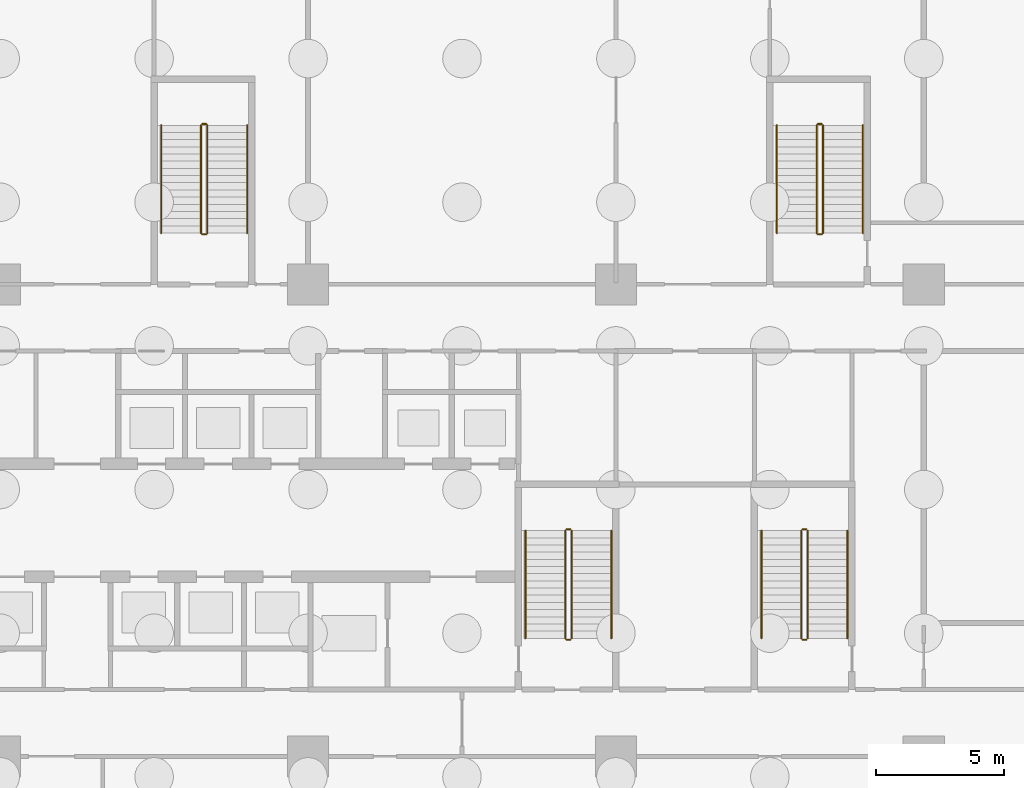
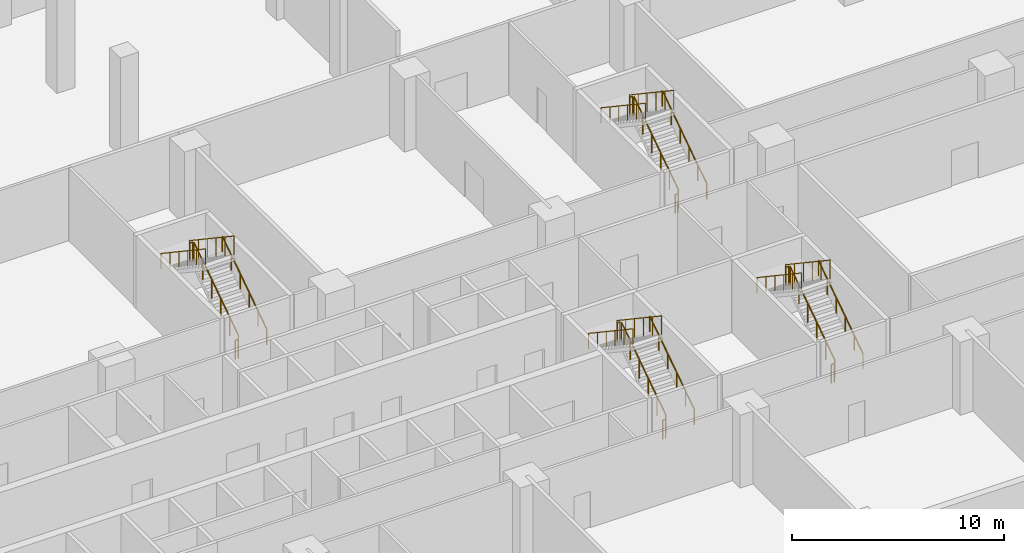
# One storey, part 26 of 27: 24 railings.
"""IFC4 building model written with IfcOpenShell, lengths in metres."""

import ifcopenshell
import ifcopenshell.guid

model = None  # the IFC model being written
_history = None  # IfcOwnerHistory: only IFC2X3 demands one
_inside = {}  # id of a spatial element -> (the spatial element, [elements in it])
_under = {}  # id of a project, library or spatial element -> (it, [spatial elements below it])
_declared = {}  # id of a project -> (the project, [libraries it declares])
_typed = {}  # id of a type object -> (the type object, [elements of that type])
_made_of = {}  # id of a material, layer set ... -> (it, [elements and type objects made of it])


def new_model(schema):
    """Start an empty IFC model of exactly this schema.

    Asked for "IFC4X3", IfcOpenShell would pick the latest addendum, in which some entities
    have other attributes; the version numbers below select the first issue.
    IFC2X3 requires an IfcOwnerHistory on every rooted entity: one is made here for all.
    """
    global model, _history
    if schema == "IFC4X3":
        model = ifcopenshell.file(schema_version=(4, 3, 0, 0))
    else:
        model = ifcopenshell.file(schema=schema)
    _inside.clear()
    _under.clear()
    _declared.clear()
    _typed.clear()
    _made_of.clear()
    _history = None
    if model.schema == "IFC2X3":
        org = make("IfcOrganization", Name="unknown")
        user = make(
            "IfcPersonAndOrganization",
            ThePerson=make("IfcPerson", FamilyName="unknown"),
            TheOrganization=org,
        )
        app = make(
            "IfcApplication",
            ApplicationDeveloper=org,
            Version="unknown",
            ApplicationFullName="unknown",
            ApplicationIdentifier="unknown",
        )
        _history = make(
            "IfcOwnerHistory",
            OwningUser=user,
            OwningApplication=app,
            ChangeAction="ADDED",
            CreationDate=0,
        )
    return model


def make(cls, **values):
    """One entity of the class cls with the attributes given. An attribute that is None is left unset."""
    return model.create_entity(
        cls, **{name: value for name, value in values.items() if value is not None}
    )


def rooted(cls, **values):
    """An entity with a GlobalId (a new one), such as an element, a storey or a relation."""
    return make(cls, GlobalId=ifcopenshell.guid.new(), OwnerHistory=_history, **values)


def si_unit(unit_type, name, prefix=None):
    """IfcSIUnit, for example si_unit("LENGTHUNIT", "METRE", prefix="MILLI")."""
    return make("IfcSIUnit", UnitType=unit_type, Prefix=prefix, Name=name)


def assignment(units):
    """IfcUnitAssignment: the units of a project."""
    return None if units is None else make("IfcUnitAssignment", Units=units)


def point(xyz):
    """IfcCartesianPoint."""
    return None if xyz is None else make("IfcCartesianPoint", Coordinates=xyz)


def direction(xyz):
    """IfcDirection."""
    return None if xyz is None else make("IfcDirection", DirectionRatios=xyz)


def frame(location, z_axis=None, x_axis=None):
    """IfcAxis2Placement3D, a coordinate frame: its origin and axes. An axis left out is left unset."""
    return make(
        "IfcAxis2Placement3D",
        Location=point(location),
        Axis=direction(z_axis),
        RefDirection=direction(x_axis),
    )


def frame_2d(location, x_axis=None):
    """IfcAxis2Placement2D, a coordinate frame in the plane: its origin and x axis."""
    return make(
        "IfcAxis2Placement2D", Location=point(location), RefDirection=direction(x_axis)
    )


def origin():
    """The frame at (0, 0, 0) with its axes left unset."""
    return frame((0.0, 0.0, 0.0))


def origin_2d():
    """The frame at (0, 0) in the plane with its x axis left unset."""
    return frame_2d((0.0, 0.0))


def place(relative_to, where):
    """IfcLocalPlacement: puts the frame where relative to a parent placement (None: the world)."""
    return make(
        "IfcLocalPlacement", PlacementRelTo=relative_to, RelativePlacement=where
    )


def context(
    kind, dimensions, precision=None, world=None, true_north=None, identifier=None
):
    """IfcGeometricRepresentationContext, for example the 3D "Model" context."""
    return make(
        "IfcGeometricRepresentationContext",
        ContextIdentifier=identifier,
        ContextType=kind,
        CoordinateSpaceDimension=dimensions,
        Precision=precision,
        WorldCoordinateSystem=world,
        TrueNorth=true_north,
    )


def subcontext(parent, identifier, kind, view, scale=None):
    """IfcGeometricRepresentationSubContext, for example "Body" below "Model"."""
    return make(
        "IfcGeometricRepresentationSubContext",
        ContextIdentifier=identifier,
        ContextType=kind,
        ParentContext=parent,
        TargetScale=scale,
        TargetView=view,
    )


def project(units=None, contexts=None):
    """IfcProject with its units and contexts."""
    return rooted(
        "IfcProject",
        Name="project",
        RepresentationContexts=contexts,
        UnitsInContext=assignment(units),
    )


def spatial(cls, under=None, at=None, **own):
    """A site, building, storey or space (cls), placed at a placement, below another one or the project."""
    s = rooted(cls, ObjectPlacement=at, **own)
    if under is not None:
        _under.setdefault(under.id(), (under, []))[1].append(s)
    return s


def profile(cls, at=None, kind="AREA", **sizes):
    """A parametric profile (cls). Its sizes go by their IFC names, for example OverallWidth=200.0."""
    return make(cls, ProfileType=kind, Position=at, **sizes)


def circle(**sizes):
    """IfcCircleProfileDef."""
    return profile("IfcCircleProfileDef", **sizes)


def extrude(swept, where, along, depth):
    """IfcExtrudedAreaSolid: the profile swept, set in the frame where, extruded along a direction by depth."""
    return make(
        "IfcExtrudedAreaSolid",
        SweptArea=swept,
        Position=where,
        ExtrudedDirection=direction(along),
        Depth=depth,
    )


def shape(context_of_items, identifier, shape_type, items):
    """IfcShapeRepresentation: the items that make up one representation, for example the "Body"."""
    return make(
        "IfcShapeRepresentation",
        ContextOfItems=context_of_items,
        RepresentationIdentifier=identifier,
        RepresentationType=shape_type,
        Items=items,
    )


def material(Name=None, Category=None):
    """IfcMaterial."""
    return make("IfcMaterial", Name=Name, Category=Category)


def made_of(thing, what):
    """Note that an element or type object is made of a material, layer set ...; save() writes the relation."""
    if what is not None:
        _made_of.setdefault(what.id(), (what, []))[1].append(thing)
    return thing


def type_object(cls, material=None, **own):
    """A type object (cls), such as IfcWallType, which elements share."""
    return made_of(rooted(cls, **own), material)


def element(
    cls,
    number,
    at=None,
    inside=None,
    cuts=None,
    type_object=None,
    material=None,
    context=None,
    identifier="Body",
    shape_type=None,
    held_by="IfcProductDefinitionShape",
    body=None,
    shapes=None,
    **own,
):
    """One element of the class cls, such as IfcWall. Its Tag is "e" and its number.

    at: its placement. inside: the storey or other place that contains it. cuts: it is an
    opening in that element (IfcRelVoidsElement). A single representation is given by context,
    identifier, shape_type and body (its items); several are given by shapes. held_by: the class
    of the entity that holds the representations. save() writes the other relations.
    """
    e = rooted(cls, Tag="e%d" % number, ObjectPlacement=at, **own)
    if body is not None:
        shapes = [shape(context, identifier, shape_type, body)]
    if shapes is not None:
        e.Representation = make(held_by, Representations=shapes)
    if inside is not None:
        _inside.setdefault(inside.id(), (inside, []))[1].append(e)
    if cuts is not None:
        rooted(
            "IfcRelVoidsElement", RelatingBuildingElement=cuts, RelatedOpeningElement=e
        )
    if type_object is not None:
        _typed.setdefault(type_object.id(), (type_object, []))[1].append(e)
    return made_of(e, material)


def aggregate(whole, parts):
    """IfcRelAggregates: a whole, such as a stair, and the parts it consists of."""
    return rooted("IfcRelAggregates", RelatingObject=whole, RelatedObjects=parts)


def save(model, path):
    """Write the relations noted so far, then the file.

    IfcRelAggregates (storeys below a building ...), IfcRelContainedInSpatialStructure (elements
    in a storey), IfcRelDefinesByType, IfcRelAssociatesMaterial and IfcRelDeclares: one each for
    every whole, place, type object, material and project.
    """
    for whole, parts in _under.values():
        aggregate(whole, parts)
    for where, things in _inside.values():
        rooted(
            "IfcRelContainedInSpatialStructure",
            RelatedElements=things,
            RelatingStructure=where,
        )
    for kind, things in _typed.values():
        rooted("IfcRelDefinesByType", RelatedObjects=things, RelatingType=kind)
    for what, things in _made_of.values():
        rooted("IfcRelAssociatesMaterial", RelatedObjects=things, RelatingMaterial=what)
    for by, libraries in _declared.values():
        rooted("IfcRelDeclares", RelatingContext=by, RelatedDefinitions=libraries)
    model.write(path)


model = new_model("IFC4")

# Units and contexts
model_context = context("Model", 3, precision=1e-05, world=origin(), true_north=direction((0.0, 1.0)))
body_context = subcontext(model_context, "Body", "Model", "MODEL_VIEW")
ifc_project = project(units=[si_unit("LENGTHUNIT", "METRE"), si_unit("AREAUNIT", "SQUARE_METRE"), si_unit("VOLUMEUNIT", "CUBIC_METRE"), si_unit("PLANEANGLEUNIT", "RADIAN"), si_unit("MASSUNIT", "GRAM", prefix="KILO")], contexts=[model_context])

# Site, building, storey
site_placement = place(None, origin())
site = spatial("IfcSite", under=ifc_project, at=site_placement, CompositionType="ELEMENT")
building_placement = place(site_placement, origin())
building = spatial("IfcBuilding", under=site, at=building_placement, Name="Poui Terraces", CompositionType="ELEMENT")
storey_placement = place(building_placement, origin())
storey = spatial("IfcBuildingStorey", under=building, at=storey_placement, Name="L00", CompositionType="ELEMENT", Elevation=0.0)

# Railings
ifc_material_1 = material(Name="Galvanised steel balustrade", Category="steel")
railing_type_1 = type_object("IfcRailingType", Name="STAIR GUARD 1100", PredefinedType="GUARDRAIL", material=ifc_material_1)
railing_1_placement = place(storey_placement, frame((70.27490234375, 16.60009765625, 0.1875)))
element("IfcRailing", 1, at=railing_1_placement, inside=storey, type_object=railing_type_1, Name="L00 ST-CE stair guard 1", PredefinedType="GUARDRAIL", context=body_context, shape_type="SweptSolid", body=[
    extrude(circle(Radius=0.02392578125, at=origin_2d()), frame((0.0, 0.0, 1.076171875), z_axis=(0.0, 0.830904186295, 0.556415522067), x_axis=(-1.0, 0.0, 0.0)), (0.0, 0.0, 1.0), 5.0546875),
    extrude(circle(Radius=0.02099609375, at=origin_2d()), origin(), (0.0, 0.0, 1.0), 1.052001953125),
    extrude(circle(Radius=0.02099609375, at=origin_2d()), frame((0.0, 0.840087890625, 0.5625)), (0.0, 0.0, 1.0), 1.052001953125),
    extrude(circle(Radius=0.02099609375, at=origin_2d()), frame((0.0, 1.679931640625, 1.125)), (0.0, 0.0, 1.0), 1.052001953125),
    extrude(circle(Radius=0.02099609375, at=origin_2d()), frame((0.0, 2.52001953125, 1.6875)), (0.0, 0.0, 1.0), 1.052001953125),
    extrude(circle(Radius=0.02099609375, at=origin_2d()), frame((0.0, 3.35986328125, 2.25)), (0.0, 0.0, 1.0), 1.052001953125),
    extrude(circle(Radius=0.02099609375, at=origin_2d()), frame((0.0, 4.199951171875, 2.8125)), (0.0, 0.0, 1.0), 1.052001953125),
])
railing_2_placement = place(storey_placement, frame((70.22509765625, 20.85009765625, 3.0)))
element("IfcRailing", 2, at=railing_2_placement, inside=storey, type_object=railing_type_1, Name="L00 ST-CE stair guard 2", PredefinedType="GUARDRAIL", context=body_context, shape_type="SweptSolid", body=[
    extrude(circle(Radius=0.02392578125, at=origin_2d()), frame((0.0, 0.0, 1.076171875), z_axis=(-1.0, 0.0, 0.0), x_axis=(0.0, -1.0, 0.0)), (0.0, 0.0, 1.0), 0.150146484375),
    extrude(circle(Radius=0.02099609375, at=origin_2d()), origin(), (0.0, 0.0, 1.0), 1.052001953125),
    extrude(circle(Radius=0.02099609375, at=origin_2d()), frame((-0.150146484375, 0.0, 0.0)), (0.0, 0.0, 1.0), 1.052001953125),
])
railing_3_placement = place(storey_placement, frame((70.02490234375, 20.800048828125, 3.1875)))
element("IfcRailing", 3, at=railing_3_placement, inside=storey, type_object=railing_type_1, Name="L00 ST-CE stair guard 3", PredefinedType="GUARDRAIL", context=body_context, shape_type="SweptSolid", body=[
    extrude(circle(Radius=0.02392578125, at=origin_2d()), frame((0.0, 0.0, 1.076171875), z_axis=(0.0, -0.830904186295, 0.556415522067), x_axis=(1.0, 0.0, 0.0)), (0.0, 0.0, 1.0), 5.0546875),
    extrude(circle(Radius=0.02099609375, at=origin_2d()), origin(), (0.0, 0.0, 1.0), 1.052001953125),
    extrude(circle(Radius=0.02099609375, at=origin_2d()), frame((0.0, -0.840087890625, 0.5625)), (0.0, 0.0, 1.0), 1.052001953125),
    extrude(circle(Radius=0.02099609375, at=origin_2d()), frame((0.0, -1.679931640625, 1.125)), (0.0, 0.0, 1.0), 1.052001953125),
    extrude(circle(Radius=0.02099609375, at=origin_2d()), frame((0.0, -2.52001953125, 1.6875)), (0.0, 0.0, 1.0), 1.052001953125),
    extrude(circle(Radius=0.02099609375, at=origin_2d()), frame((0.0, -3.35986328125, 2.25)), (0.0, 0.0, 1.0), 1.052001953125),
    extrude(circle(Radius=0.02099609375, at=origin_2d()), frame((0.0, -4.199951171875, 2.8125)), (0.0, 0.0, 1.0), 1.052001953125),
])
railing_4_placement = place(storey_placement, frame((70.22509765625, 16.550048828125, 0.0)))
element("IfcRailing", 4, at=railing_4_placement, inside=storey, type_object=railing_type_1, Name="L00 ST-CE stair guard 4", PredefinedType="GUARDRAIL", context=body_context, shape_type="SweptSolid", body=[
    extrude(circle(Radius=0.02392578125, at=origin_2d()), frame((0.0, 0.0, 1.076171875), z_axis=(-1.0, 0.0, 0.0), x_axis=(0.0, -1.0, 0.0)), (0.0, 0.0, 1.0), 0.150146484375),
    extrude(circle(Radius=0.02099609375, at=origin_2d()), origin(), (0.0, 0.0, 1.0), 1.052001953125),
    extrude(circle(Radius=0.02099609375, at=origin_2d()), frame((-0.150146484375, 0.0, 0.0)), (0.0, 0.0, 1.0), 1.052001953125),
])
railing_5_placement = place(storey_placement, frame((79.47509765625, 16.60009765625, 0.1875)))
element("IfcRailing", 5, at=railing_5_placement, inside=storey, type_object=railing_type_1, Name="L00 ST-E stair guard 1", PredefinedType="GUARDRAIL", context=body_context, shape_type="SweptSolid", body=[
    extrude(circle(Radius=0.02392578125, at=origin_2d()), frame((0.0, 0.0, 1.076171875), z_axis=(0.0, 0.830904186295, 0.556415522067), x_axis=(-1.0, 0.0, 0.0)), (0.0, 0.0, 1.0), 5.0546875),
    extrude(circle(Radius=0.02099609375, at=origin_2d()), origin(), (0.0, 0.0, 1.0), 1.052001953125),
    extrude(circle(Radius=0.02099609375, at=origin_2d()), frame((0.0, 0.840087890625, 0.5625)), (0.0, 0.0, 1.0), 1.052001953125),
    extrude(circle(Radius=0.02099609375, at=origin_2d()), frame((0.0, 1.679931640625, 1.125)), (0.0, 0.0, 1.0), 1.052001953125),
    extrude(circle(Radius=0.02099609375, at=origin_2d()), frame((0.0, 2.52001953125, 1.6875)), (0.0, 0.0, 1.0), 1.052001953125),
    extrude(circle(Radius=0.02099609375, at=origin_2d()), frame((0.0, 3.35986328125, 2.25)), (0.0, 0.0, 1.0), 1.052001953125),
    extrude(circle(Radius=0.02099609375, at=origin_2d()), frame((0.0, 4.199951171875, 2.8125)), (0.0, 0.0, 1.0), 1.052001953125),
])
railing_6_placement = place(storey_placement, frame((79.425048828125, 20.85009765625, 3.0)))
element("IfcRailing", 6, at=railing_6_placement, inside=storey, type_object=railing_type_1, Name="L00 ST-E stair guard 2", PredefinedType="GUARDRAIL", context=body_context, shape_type="SweptSolid", body=[
    extrude(circle(Radius=0.02392578125, at=origin_2d()), frame((0.0, 0.0, 1.076171875), z_axis=(-1.0, 0.0, 0.0), x_axis=(0.0, -1.0, 0.0)), (0.0, 0.0, 1.0), 0.150146484375),
    extrude(circle(Radius=0.02099609375, at=origin_2d()), origin(), (0.0, 0.0, 1.0), 1.052001953125),
    extrude(circle(Radius=0.02099609375, at=origin_2d()), frame((-0.150146484375, 0.0, 0.0)), (0.0, 0.0, 1.0), 1.052001953125),
])
railing_7_placement = place(storey_placement, frame((79.22509765625, 20.800048828125, 3.1875)))
element("IfcRailing", 7, at=railing_7_placement, inside=storey, type_object=railing_type_1, Name="L00 ST-E stair guard 3", PredefinedType="GUARDRAIL", context=body_context, shape_type="SweptSolid", body=[
    extrude(circle(Radius=0.02392578125, at=origin_2d()), frame((0.0, 0.0, 1.076171875), z_axis=(0.0, -0.830904186295, 0.556415522067), x_axis=(1.0, 0.0, 0.0)), (0.0, 0.0, 1.0), 5.0546875),
    extrude(circle(Radius=0.02099609375, at=origin_2d()), origin(), (0.0, 0.0, 1.0), 1.052001953125),
    extrude(circle(Radius=0.02099609375, at=origin_2d()), frame((0.0, -0.840087890625, 0.5625)), (0.0, 0.0, 1.0), 1.052001953125),
    extrude(circle(Radius=0.02099609375, at=origin_2d()), frame((0.0, -1.679931640625, 1.125)), (0.0, 0.0, 1.0), 1.052001953125),
    extrude(circle(Radius=0.02099609375, at=origin_2d()), frame((0.0, -2.52001953125, 1.6875)), (0.0, 0.0, 1.0), 1.052001953125),
    extrude(circle(Radius=0.02099609375, at=origin_2d()), frame((0.0, -3.35986328125, 2.25)), (0.0, 0.0, 1.0), 1.052001953125),
    extrude(circle(Radius=0.02099609375, at=origin_2d()), frame((0.0, -4.199951171875, 2.8125)), (0.0, 0.0, 1.0), 1.052001953125),
])
railing_8_placement = place(storey_placement, frame((79.425048828125, 16.550048828125, 0.0)))
element("IfcRailing", 8, at=railing_8_placement, inside=storey, type_object=railing_type_1, Name="L00 ST-E stair guard 4", PredefinedType="GUARDRAIL", context=body_context, shape_type="SweptSolid", body=[
    extrude(circle(Radius=0.02392578125, at=origin_2d()), frame((0.0, 0.0, 1.076171875), z_axis=(-1.0, 0.0, 0.0), x_axis=(0.0, -1.0, 0.0)), (0.0, 0.0, 1.0), 0.150146484375),
    extrude(circle(Radius=0.02099609375, at=origin_2d()), origin(), (0.0, 0.0, 1.0), 1.052001953125),
    extrude(circle(Radius=0.02099609375, at=origin_2d()), frame((-0.150146484375, 0.0, 0.0)), (0.0, 0.0, 1.0), 1.052001953125),
])
railing_9_placement = place(storey_placement, frame((80.074951171875, 32.39990234375, 0.1875)))
element("IfcRailing", 9, at=railing_9_placement, inside=storey, type_object=railing_type_1, Name="L00 ST-N2 stair guard 1", PredefinedType="GUARDRAIL", context=body_context, shape_type="SweptSolid", body=[
    extrude(circle(Radius=0.02392578125, at=origin_2d()), frame((0.0, 0.0, 1.076171875), z_axis=(0.0, 0.830919138977, 0.55639319234), x_axis=(-1.0, 0.0, 0.0)), (0.0, 0.0, 1.0), 5.054931640625),
    extrude(circle(Radius=0.02099609375, at=origin_2d()), origin(), (0.0, 0.0, 1.0), 1.052001953125),
    extrude(circle(Radius=0.02099609375, at=origin_2d()), frame((0.0, 0.840087890625, 0.5625)), (0.0, 0.0, 1.0), 1.052001953125),
    extrude(circle(Radius=0.02099609375, at=origin_2d()), frame((0.0, 1.68017578125, 1.125)), (0.0, 0.0, 1.0), 1.052001953125),
    extrude(circle(Radius=0.02099609375, at=origin_2d()), frame((0.0, 2.52001953125, 1.6875)), (0.0, 0.0, 1.0), 1.052001953125),
    extrude(circle(Radius=0.02099609375, at=origin_2d()), frame((0.0, 3.360107421875, 2.25)), (0.0, 0.0, 1.0), 1.052001953125),
    extrude(circle(Radius=0.02099609375, at=origin_2d()), frame((0.0, 4.2001953125, 2.8125)), (0.0, 0.0, 1.0), 1.052001953125),
])
railing_10_placement = place(storey_placement, frame((80.02490234375, 36.64990234375, 3.0)))
element("IfcRailing", 10, at=railing_10_placement, inside=storey, type_object=railing_type_1, Name="L00 ST-N2 stair guard 2", PredefinedType="GUARDRAIL", context=body_context, shape_type="SweptSolid", body=[
    extrude(circle(Radius=0.02392578125, at=origin_2d()), frame((0.0, 0.0, 1.076171875), z_axis=(-1.0, 0.0, 0.0), x_axis=(0.0, -1.0, 0.0)), (0.0, 0.0, 1.0), 0.14990234375),
    extrude(circle(Radius=0.02099609375, at=origin_2d()), origin(), (0.0, 0.0, 1.0), 1.052001953125),
    extrude(circle(Radius=0.02099609375, at=origin_2d()), frame((-0.14990234375, 0.0, 0.0)), (0.0, 0.0, 1.0), 1.052001953125),
])
railing_11_placement = place(storey_placement, frame((79.824951171875, 36.60009765625, 3.1875)))
element("IfcRailing", 11, at=railing_11_placement, inside=storey, type_object=railing_type_1, Name="L00 ST-N2 stair guard 3", PredefinedType="GUARDRAIL", context=body_context, shape_type="SweptSolid", body=[
    extrude(circle(Radius=0.02392578125, at=origin_2d()), frame((0.0, 0.0, 1.076171875), z_axis=(0.0, -0.830919138977, 0.55639319234), x_axis=(1.0, 0.0, 0.0)), (0.0, 0.0, 1.0), 5.054931640625),
    extrude(circle(Radius=0.02099609375, at=origin_2d()), origin(), (0.0, 0.0, 1.0), 1.052001953125),
    extrude(circle(Radius=0.02099609375, at=origin_2d()), frame((0.0, -0.840087890625, 0.5625)), (0.0, 0.0, 1.0), 1.052001953125),
    extrude(circle(Radius=0.02099609375, at=origin_2d()), frame((0.0, -1.68017578125, 1.125)), (0.0, 0.0, 1.0), 1.052001953125),
    extrude(circle(Radius=0.02099609375, at=origin_2d()), frame((0.0, -2.52001953125, 1.6875)), (0.0, 0.0, 1.0), 1.052001953125),
    extrude(circle(Radius=0.02099609375, at=origin_2d()), frame((0.0, -3.360107421875, 2.25)), (0.0, 0.0, 1.0), 1.052001953125),
    extrude(circle(Radius=0.02099609375, at=origin_2d()), frame((0.0, -4.2001953125, 2.8125)), (0.0, 0.0, 1.0), 1.052001953125),
])
railing_12_placement = place(storey_placement, frame((80.02490234375, 32.35009765625, 0.0)))
element("IfcRailing", 12, at=railing_12_placement, inside=storey, type_object=railing_type_1, Name="L00 ST-N2 stair guard 4", PredefinedType="GUARDRAIL", context=body_context, shape_type="SweptSolid", body=[
    extrude(circle(Radius=0.02392578125, at=origin_2d()), frame((0.0, 0.0, 1.076171875), z_axis=(-1.0, 0.0, 0.0), x_axis=(0.0, -1.0, 0.0)), (0.0, 0.0, 1.0), 0.14990234375),
    extrude(circle(Radius=0.02099609375, at=origin_2d()), origin(), (0.0, 0.0, 1.0), 1.052001953125),
    extrude(circle(Radius=0.02099609375, at=origin_2d()), frame((-0.14990234375, 0.0, 0.0)), (0.0, 0.0, 1.0), 1.052001953125),
])
railing_13_placement = place(storey_placement, frame((56.074951171875, 32.39990234375, 0.1875)))
element("IfcRailing", 13, at=railing_13_placement, inside=storey, type_object=railing_type_1, Name="L00 ST-N3 stair guard 1", PredefinedType="GUARDRAIL", context=body_context, shape_type="SweptSolid", body=[
    extrude(circle(Radius=0.02392578125, at=origin_2d()), frame((0.0, 0.0, 1.076171875), z_axis=(0.0, 0.830919138977, 0.55639319234), x_axis=(-1.0, 0.0, 0.0)), (0.0, 0.0, 1.0), 5.054931640625),
    extrude(circle(Radius=0.02099609375, at=origin_2d()), origin(), (0.0, 0.0, 1.0), 1.052001953125),
    extrude(circle(Radius=0.02099609375, at=origin_2d()), frame((0.0, 0.840087890625, 0.5625)), (0.0, 0.0, 1.0), 1.052001953125),
    extrude(circle(Radius=0.02099609375, at=origin_2d()), frame((0.0, 1.68017578125, 1.125)), (0.0, 0.0, 1.0), 1.052001953125),
    extrude(circle(Radius=0.02099609375, at=origin_2d()), frame((0.0, 2.52001953125, 1.6875)), (0.0, 0.0, 1.0), 1.052001953125),
    extrude(circle(Radius=0.02099609375, at=origin_2d()), frame((0.0, 3.360107421875, 2.25)), (0.0, 0.0, 1.0), 1.052001953125),
    extrude(circle(Radius=0.02099609375, at=origin_2d()), frame((0.0, 4.2001953125, 2.8125)), (0.0, 0.0, 1.0), 1.052001953125),
])
railing_14_placement = place(storey_placement, frame((56.02490234375, 36.64990234375, 3.0)))
element("IfcRailing", 14, at=railing_14_placement, inside=storey, type_object=railing_type_1, Name="L00 ST-N3 stair guard 2", PredefinedType="GUARDRAIL", context=body_context, shape_type="SweptSolid", body=[
    extrude(circle(Radius=0.02392578125, at=origin_2d()), frame((0.0, 0.0, 1.076171875), z_axis=(-1.0, 0.0, 0.0), x_axis=(0.0, -1.0, 0.0)), (0.0, 0.0, 1.0), 0.14990234375),
    extrude(circle(Radius=0.02099609375, at=origin_2d()), origin(), (0.0, 0.0, 1.0), 1.052001953125),
    extrude(circle(Radius=0.02099609375, at=origin_2d()), frame((-0.14990234375, 0.0, 0.0)), (0.0, 0.0, 1.0), 1.052001953125),
])
railing_15_placement = place(storey_placement, frame((55.824951171875, 36.60009765625, 3.1875)))
element("IfcRailing", 15, at=railing_15_placement, inside=storey, type_object=railing_type_1, Name="L00 ST-N3 stair guard 3", PredefinedType="GUARDRAIL", context=body_context, shape_type="SweptSolid", body=[
    extrude(circle(Radius=0.02392578125, at=origin_2d()), frame((0.0, 0.0, 1.076171875), z_axis=(0.0, -0.830919138977, 0.55639319234), x_axis=(1.0, 0.0, 0.0)), (0.0, 0.0, 1.0), 5.054931640625),
    extrude(circle(Radius=0.02099609375, at=origin_2d()), origin(), (0.0, 0.0, 1.0), 1.052001953125),
    extrude(circle(Radius=0.02099609375, at=origin_2d()), frame((0.0, -0.840087890625, 0.5625)), (0.0, 0.0, 1.0), 1.052001953125),
    extrude(circle(Radius=0.02099609375, at=origin_2d()), frame((0.0, -1.68017578125, 1.125)), (0.0, 0.0, 1.0), 1.052001953125),
    extrude(circle(Radius=0.02099609375, at=origin_2d()), frame((0.0, -2.52001953125, 1.6875)), (0.0, 0.0, 1.0), 1.052001953125),
    extrude(circle(Radius=0.02099609375, at=origin_2d()), frame((0.0, -3.360107421875, 2.25)), (0.0, 0.0, 1.0), 1.052001953125),
    extrude(circle(Radius=0.02099609375, at=origin_2d()), frame((0.0, -4.2001953125, 2.8125)), (0.0, 0.0, 1.0), 1.052001953125),
])
railing_16_placement = place(storey_placement, frame((56.02490234375, 32.35009765625, 0.0)))
element("IfcRailing", 16, at=railing_16_placement, inside=storey, type_object=railing_type_1, Name="L00 ST-N3 stair guard 4", PredefinedType="GUARDRAIL", context=body_context, shape_type="SweptSolid", body=[
    extrude(circle(Radius=0.02392578125, at=origin_2d()), frame((0.0, 0.0, 1.076171875), z_axis=(-1.0, 0.0, 0.0), x_axis=(0.0, -1.0, 0.0)), (0.0, 0.0, 1.0), 0.14990234375),
    extrude(circle(Radius=0.02099609375, at=origin_2d()), origin(), (0.0, 0.0, 1.0), 1.052001953125),
    extrude(circle(Radius=0.02099609375, at=origin_2d()), frame((-0.14990234375, 0.0, 0.0)), (0.0, 0.0, 1.0), 1.052001953125),
])
ifc_material_2 = material(Name="Stainless steel handrail", Category="steel")
railing_type_2 = type_object("IfcRailingType", Name="STAIR HANDRAIL 900", PredefinedType="HANDRAIL", material=ifc_material_2)
railing_17_placement = place(storey_placement, frame((71.824951171875, 16.60009765625, 0.1875)))
element("IfcRailing", 17, at=railing_17_placement, inside=storey, type_object=railing_type_2, Name="L00 ST-CE stair handrail 1", PredefinedType="HANDRAIL", context=body_context, shape_type="SweptSolid", body=[
    extrude(circle(Radius=0.02392578125, at=origin_2d()), frame((0.0, 0.0, 0.8759765625), z_axis=(0.0, 0.830904186295, 0.556415522067), x_axis=(-1.0, 0.0, 0.0)), (0.0, 0.0, 1.0), 5.0546875),
    extrude(circle(Radius=0.02099609375, at=origin_2d()), origin(), (0.0, 0.0, 1.0), 0.851806640625),
    extrude(circle(Radius=0.02099609375, at=origin_2d()), frame((0.0, 0.840087890625, 0.5625)), (0.0, 0.0, 1.0), 0.851806640625),
    extrude(circle(Radius=0.02099609375, at=origin_2d()), frame((0.0, 1.679931640625, 1.125)), (0.0, 0.0, 1.0), 0.851806640625),
    extrude(circle(Radius=0.02099609375, at=origin_2d()), frame((0.0, 2.52001953125, 1.6875)), (0.0, 0.0, 1.0), 0.851806640625),
    extrude(circle(Radius=0.02099609375, at=origin_2d()), frame((0.0, 3.35986328125, 2.25)), (0.0, 0.0, 1.0), 0.851806640625),
    extrude(circle(Radius=0.02099609375, at=origin_2d()), frame((0.0, 4.199951171875, 2.8125)), (0.0, 0.0, 1.0), 0.851806640625),
])
railing_18_placement = place(storey_placement, frame((68.47509765625, 20.800048828125, 3.1875)))
element("IfcRailing", 18, at=railing_18_placement, inside=storey, type_object=railing_type_2, Name="L00 ST-CE stair handrail 2", PredefinedType="HANDRAIL", context=body_context, shape_type="SweptSolid", body=[
    extrude(circle(Radius=0.02392578125, at=origin_2d()), frame((0.0, 0.0, 0.8759765625), z_axis=(0.0, -0.830904186295, 0.556415522067), x_axis=(1.0, 0.0, 0.0)), (0.0, 0.0, 1.0), 5.0546875),
    extrude(circle(Radius=0.02099609375, at=origin_2d()), origin(), (0.0, 0.0, 1.0), 0.851806640625),
    extrude(circle(Radius=0.02099609375, at=origin_2d()), frame((0.0, -0.840087890625, 0.5625)), (0.0, 0.0, 1.0), 0.851806640625),
    extrude(circle(Radius=0.02099609375, at=origin_2d()), frame((0.0, -1.679931640625, 1.125)), (0.0, 0.0, 1.0), 0.851806640625),
    extrude(circle(Radius=0.02099609375, at=origin_2d()), frame((0.0, -2.52001953125, 1.6875)), (0.0, 0.0, 1.0), 0.851806640625),
    extrude(circle(Radius=0.02099609375, at=origin_2d()), frame((0.0, -3.35986328125, 2.25)), (0.0, 0.0, 1.0), 0.851806640625),
    extrude(circle(Radius=0.02099609375, at=origin_2d()), frame((0.0, -4.199951171875, 2.8125)), (0.0, 0.0, 1.0), 0.851806640625),
])
railing_19_placement = place(storey_placement, frame((81.02490234375, 16.60009765625, 0.1875)))
element("IfcRailing", 19, at=railing_19_placement, inside=storey, type_object=railing_type_2, Name="L00 ST-E stair handrail 1", PredefinedType="HANDRAIL", context=body_context, shape_type="SweptSolid", body=[
    extrude(circle(Radius=0.02392578125, at=origin_2d()), frame((0.0, 0.0, 0.8759765625), z_axis=(0.0, 0.830904186295, 0.556415522067), x_axis=(-1.0, 0.0, 0.0)), (0.0, 0.0, 1.0), 5.0546875),
    extrude(circle(Radius=0.02099609375, at=origin_2d()), origin(), (0.0, 0.0, 1.0), 0.851806640625),
    extrude(circle(Radius=0.02099609375, at=origin_2d()), frame((0.0, 0.840087890625, 0.5625)), (0.0, 0.0, 1.0), 0.851806640625),
    extrude(circle(Radius=0.02099609375, at=origin_2d()), frame((0.0, 1.679931640625, 1.125)), (0.0, 0.0, 1.0), 0.851806640625),
    extrude(circle(Radius=0.02099609375, at=origin_2d()), frame((0.0, 2.52001953125, 1.6875)), (0.0, 0.0, 1.0), 0.851806640625),
    extrude(circle(Radius=0.02099609375, at=origin_2d()), frame((0.0, 3.35986328125, 2.25)), (0.0, 0.0, 1.0), 0.851806640625),
    extrude(circle(Radius=0.02099609375, at=origin_2d()), frame((0.0, 4.199951171875, 2.8125)), (0.0, 0.0, 1.0), 0.851806640625),
])
railing_20_placement = place(storey_placement, frame((77.675048828125, 20.800048828125, 3.1875)))
element("IfcRailing", 20, at=railing_20_placement, inside=storey, type_object=railing_type_2, Name="L00 ST-E stair handrail 2", PredefinedType="HANDRAIL", context=body_context, shape_type="SweptSolid", body=[
    extrude(circle(Radius=0.02392578125, at=origin_2d()), frame((0.0, 0.0, 0.8759765625), z_axis=(0.0, -0.830904186295, 0.556415522067), x_axis=(1.0, 0.0, 0.0)), (0.0, 0.0, 1.0), 5.0546875),
    extrude(circle(Radius=0.02099609375, at=origin_2d()), origin(), (0.0, 0.0, 1.0), 0.851806640625),
    extrude(circle(Radius=0.02099609375, at=origin_2d()), frame((0.0, -0.840087890625, 0.5625)), (0.0, 0.0, 1.0), 0.851806640625),
    extrude(circle(Radius=0.02099609375, at=origin_2d()), frame((0.0, -1.679931640625, 1.125)), (0.0, 0.0, 1.0), 0.851806640625),
    extrude(circle(Radius=0.02099609375, at=origin_2d()), frame((0.0, -2.52001953125, 1.6875)), (0.0, 0.0, 1.0), 0.851806640625),
    extrude(circle(Radius=0.02099609375, at=origin_2d()), frame((0.0, -3.35986328125, 2.25)), (0.0, 0.0, 1.0), 0.851806640625),
    extrude(circle(Radius=0.02099609375, at=origin_2d()), frame((0.0, -4.199951171875, 2.8125)), (0.0, 0.0, 1.0), 0.851806640625),
])
railing_21_placement = place(storey_placement, frame((81.625, 32.39990234375, 0.1875)))
element("IfcRailing", 21, at=railing_21_placement, inside=storey, type_object=railing_type_2, Name="L00 ST-N2 stair handrail 1", PredefinedType="HANDRAIL", context=body_context, shape_type="SweptSolid", body=[
    extrude(circle(Radius=0.02392578125, at=origin_2d()), frame((0.0, 0.0, 0.8759765625), z_axis=(0.0, 0.830919138977, 0.55639319234), x_axis=(-1.0, 0.0, 0.0)), (0.0, 0.0, 1.0), 5.054931640625),
    extrude(circle(Radius=0.02099609375, at=origin_2d()), origin(), (0.0, 0.0, 1.0), 0.851806640625),
    extrude(circle(Radius=0.02099609375, at=origin_2d()), frame((0.0, 0.840087890625, 0.5625)), (0.0, 0.0, 1.0), 0.851806640625),
    extrude(circle(Radius=0.02099609375, at=origin_2d()), frame((0.0, 1.68017578125, 1.125)), (0.0, 0.0, 1.0), 0.851806640625),
    extrude(circle(Radius=0.02099609375, at=origin_2d()), frame((0.0, 2.52001953125, 1.6875)), (0.0, 0.0, 1.0), 0.851806640625),
    extrude(circle(Radius=0.02099609375, at=origin_2d()), frame((0.0, 3.360107421875, 2.25)), (0.0, 0.0, 1.0), 0.851806640625),
    extrude(circle(Radius=0.02099609375, at=origin_2d()), frame((0.0, 4.2001953125, 2.8125)), (0.0, 0.0, 1.0), 0.851806640625),
])
railing_22_placement = place(storey_placement, frame((78.27490234375, 36.60009765625, 3.1875)))
element("IfcRailing", 22, at=railing_22_placement, inside=storey, type_object=railing_type_2, Name="L00 ST-N2 stair handrail 2", PredefinedType="HANDRAIL", context=body_context, shape_type="SweptSolid", body=[
    extrude(circle(Radius=0.02392578125, at=origin_2d()), frame((0.0, 0.0, 0.8759765625), z_axis=(0.0, -0.830919138977, 0.55639319234), x_axis=(1.0, 0.0, 0.0)), (0.0, 0.0, 1.0), 5.054931640625),
    extrude(circle(Radius=0.02099609375, at=origin_2d()), origin(), (0.0, 0.0, 1.0), 0.851806640625),
    extrude(circle(Radius=0.02099609375, at=origin_2d()), frame((0.0, -0.840087890625, 0.5625)), (0.0, 0.0, 1.0), 0.851806640625),
    extrude(circle(Radius=0.02099609375, at=origin_2d()), frame((0.0, -1.68017578125, 1.125)), (0.0, 0.0, 1.0), 0.851806640625),
    extrude(circle(Radius=0.02099609375, at=origin_2d()), frame((0.0, -2.52001953125, 1.6875)), (0.0, 0.0, 1.0), 0.851806640625),
    extrude(circle(Radius=0.02099609375, at=origin_2d()), frame((0.0, -3.360107421875, 2.25)), (0.0, 0.0, 1.0), 0.851806640625),
    extrude(circle(Radius=0.02099609375, at=origin_2d()), frame((0.0, -4.2001953125, 2.8125)), (0.0, 0.0, 1.0), 0.851806640625),
])
railing_23_placement = place(storey_placement, frame((57.625, 32.39990234375, 0.1875)))
element("IfcRailing", 23, at=railing_23_placement, inside=storey, type_object=railing_type_2, Name="L00 ST-N3 stair handrail 1", PredefinedType="HANDRAIL", context=body_context, shape_type="SweptSolid", body=[
    extrude(circle(Radius=0.02392578125, at=origin_2d()), frame((0.0, 0.0, 0.8759765625), z_axis=(0.0, 0.830919138977, 0.55639319234), x_axis=(-1.0, 0.0, 0.0)), (0.0, 0.0, 1.0), 5.054931640625),
    extrude(circle(Radius=0.02099609375, at=origin_2d()), origin(), (0.0, 0.0, 1.0), 0.851806640625),
    extrude(circle(Radius=0.02099609375, at=origin_2d()), frame((0.0, 0.840087890625, 0.5625)), (0.0, 0.0, 1.0), 0.851806640625),
    extrude(circle(Radius=0.02099609375, at=origin_2d()), frame((0.0, 1.68017578125, 1.125)), (0.0, 0.0, 1.0), 0.851806640625),
    extrude(circle(Radius=0.02099609375, at=origin_2d()), frame((0.0, 2.52001953125, 1.6875)), (0.0, 0.0, 1.0), 0.851806640625),
    extrude(circle(Radius=0.02099609375, at=origin_2d()), frame((0.0, 3.360107421875, 2.25)), (0.0, 0.0, 1.0), 0.851806640625),
    extrude(circle(Radius=0.02099609375, at=origin_2d()), frame((0.0, 4.2001953125, 2.8125)), (0.0, 0.0, 1.0), 0.851806640625),
])
railing_24_placement = place(storey_placement, frame((54.27490234375, 36.60009765625, 3.1875)))
element("IfcRailing", 24, at=railing_24_placement, inside=storey, type_object=railing_type_2, Name="L00 ST-N3 stair handrail 2", PredefinedType="HANDRAIL", context=body_context, shape_type="SweptSolid", body=[
    extrude(circle(Radius=0.02392578125, at=origin_2d()), frame((0.0, 0.0, 0.8759765625), z_axis=(0.0, -0.830919138977, 0.55639319234), x_axis=(1.0, 0.0, 0.0)), (0.0, 0.0, 1.0), 5.054931640625),
    extrude(circle(Radius=0.02099609375, at=origin_2d()), origin(), (0.0, 0.0, 1.0), 0.851806640625),
    extrude(circle(Radius=0.02099609375, at=origin_2d()), frame((0.0, -0.840087890625, 0.5625)), (0.0, 0.0, 1.0), 0.851806640625),
    extrude(circle(Radius=0.02099609375, at=origin_2d()), frame((0.0, -1.68017578125, 1.125)), (0.0, 0.0, 1.0), 0.851806640625),
    extrude(circle(Radius=0.02099609375, at=origin_2d()), frame((0.0, -2.52001953125, 1.6875)), (0.0, 0.0, 1.0), 0.851806640625),
    extrude(circle(Radius=0.02099609375, at=origin_2d()), frame((0.0, -3.360107421875, 2.25)), (0.0, 0.0, 1.0), 0.851806640625),
    extrude(circle(Radius=0.02099609375, at=origin_2d()), frame((0.0, -4.2001953125, 2.8125)), (0.0, 0.0, 1.0), 0.851806640625),
])

save(model, "model.ifc")
